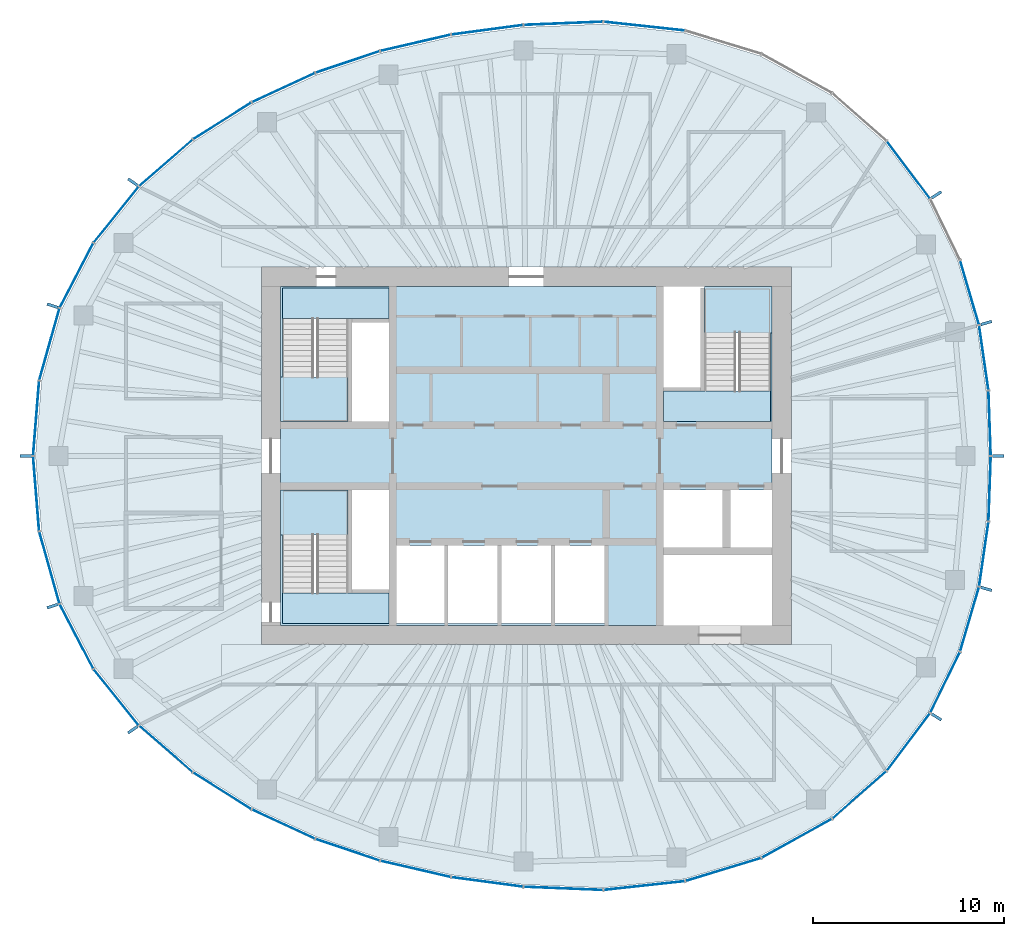
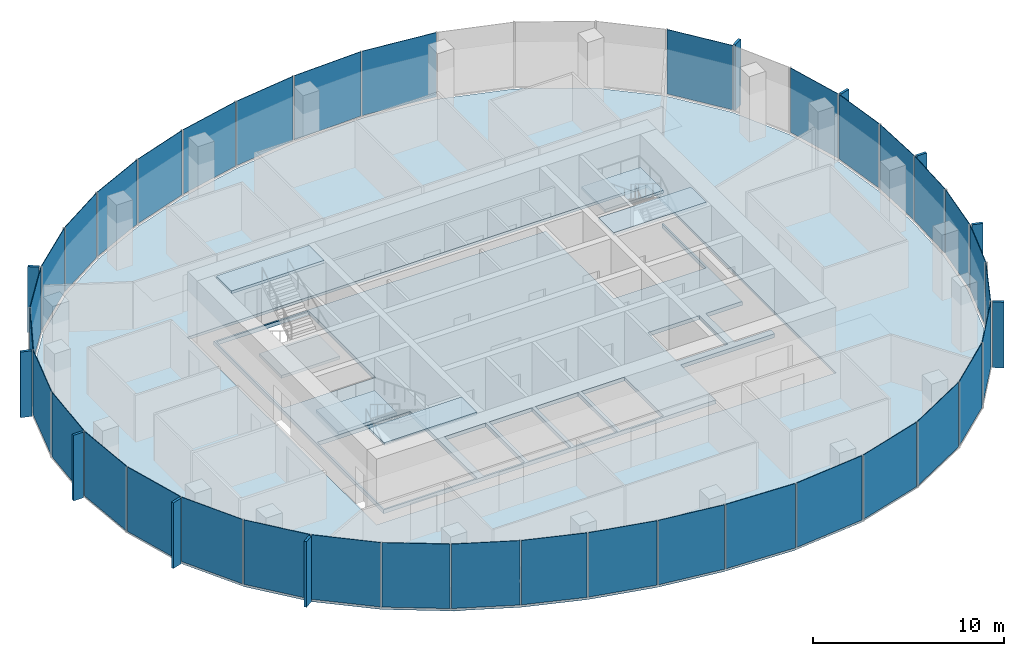
# One storey, part 7 of 11: 46 plates, 8 slabs, 22 elements without a shape of their own.
"""IFC4 building model written with IfcOpenShell, lengths in metres."""

import ifcopenshell
import ifcopenshell.guid

model = None  # the IFC model being written
_history = None  # IfcOwnerHistory: only IFC2X3 demands one
_inside = {}  # id of a spatial element -> (the spatial element, [elements in it])
_under = {}  # id of a project, library or spatial element -> (it, [spatial elements below it])
_declared = {}  # id of a project -> (the project, [libraries it declares])
_typed = {}  # id of a type object -> (the type object, [elements of that type])
_made_of = {}  # id of a material, layer set ... -> (it, [elements and type objects made of it])


def new_model(schema):
    """Start an empty IFC model of exactly this schema.

    Asked for "IFC4X3", IfcOpenShell would pick the latest addendum, in which some entities
    have other attributes; the version numbers below select the first issue.
    IFC2X3 requires an IfcOwnerHistory on every rooted entity: one is made here for all.
    """
    global model, _history
    if schema == "IFC4X3":
        model = ifcopenshell.file(schema_version=(4, 3, 0, 0))
    else:
        model = ifcopenshell.file(schema=schema)
    _inside.clear()
    _under.clear()
    _declared.clear()
    _typed.clear()
    _made_of.clear()
    _history = None
    if model.schema == "IFC2X3":
        org = make("IfcOrganization", Name="unknown")
        user = make(
            "IfcPersonAndOrganization",
            ThePerson=make("IfcPerson", FamilyName="unknown"),
            TheOrganization=org,
        )
        app = make(
            "IfcApplication",
            ApplicationDeveloper=org,
            Version="unknown",
            ApplicationFullName="unknown",
            ApplicationIdentifier="unknown",
        )
        _history = make(
            "IfcOwnerHistory",
            OwningUser=user,
            OwningApplication=app,
            ChangeAction="ADDED",
            CreationDate=0,
        )
    return model


def make(cls, **values):
    """One entity of the class cls with the attributes given. An attribute that is None is left unset."""
    return model.create_entity(
        cls, **{name: value for name, value in values.items() if value is not None}
    )


def rooted(cls, **values):
    """An entity with a GlobalId (a new one), such as an element, a storey or a relation."""
    return make(cls, GlobalId=ifcopenshell.guid.new(), OwnerHistory=_history, **values)


def si_unit(unit_type, name, prefix=None):
    """IfcSIUnit, for example si_unit("LENGTHUNIT", "METRE", prefix="MILLI")."""
    return make("IfcSIUnit", UnitType=unit_type, Prefix=prefix, Name=name)


def assignment(units):
    """IfcUnitAssignment: the units of a project."""
    return None if units is None else make("IfcUnitAssignment", Units=units)


def point(xyz):
    """IfcCartesianPoint."""
    return None if xyz is None else make("IfcCartesianPoint", Coordinates=xyz)


def direction(xyz):
    """IfcDirection."""
    return None if xyz is None else make("IfcDirection", DirectionRatios=xyz)


def frame(location, z_axis=None, x_axis=None):
    """IfcAxis2Placement3D, a coordinate frame: its origin and axes. An axis left out is left unset."""
    return make(
        "IfcAxis2Placement3D",
        Location=point(location),
        Axis=direction(z_axis),
        RefDirection=direction(x_axis),
    )


def frame_2d(location, x_axis=None):
    """IfcAxis2Placement2D, a coordinate frame in the plane: its origin and x axis."""
    return make(
        "IfcAxis2Placement2D", Location=point(location), RefDirection=direction(x_axis)
    )


def origin():
    """The frame at (0, 0, 0) with its axes left unset."""
    return frame((0.0, 0.0, 0.0))


def origin_2d():
    """The frame at (0, 0) in the plane with its x axis left unset."""
    return frame_2d((0.0, 0.0))


def place(relative_to, where):
    """IfcLocalPlacement: puts the frame where relative to a parent placement (None: the world)."""
    return make(
        "IfcLocalPlacement", PlacementRelTo=relative_to, RelativePlacement=where
    )


def context(
    kind, dimensions, precision=None, world=None, true_north=None, identifier=None
):
    """IfcGeometricRepresentationContext, for example the 3D "Model" context."""
    return make(
        "IfcGeometricRepresentationContext",
        ContextIdentifier=identifier,
        ContextType=kind,
        CoordinateSpaceDimension=dimensions,
        Precision=precision,
        WorldCoordinateSystem=world,
        TrueNorth=true_north,
    )


def subcontext(parent, identifier, kind, view, scale=None):
    """IfcGeometricRepresentationSubContext, for example "Body" below "Model"."""
    return make(
        "IfcGeometricRepresentationSubContext",
        ContextIdentifier=identifier,
        ContextType=kind,
        ParentContext=parent,
        TargetScale=scale,
        TargetView=view,
    )


def project(units=None, contexts=None):
    """IfcProject with its units and contexts."""
    return rooted(
        "IfcProject",
        Name="project",
        RepresentationContexts=contexts,
        UnitsInContext=assignment(units),
    )


def spatial(cls, under=None, at=None, **own):
    """A site, building, storey or space (cls), placed at a placement, below another one or the project."""
    s = rooted(cls, ObjectPlacement=at, **own)
    if under is not None:
        _under.setdefault(under.id(), (under, []))[1].append(s)
    return s


def polyline(points):
    """IfcPolyline through the points."""
    return make("IfcPolyline", Points=[point(p) for p in points])


def profile(cls, at=None, kind="AREA", **sizes):
    """A parametric profile (cls). Its sizes go by their IFC names, for example OverallWidth=200.0."""
    return make(cls, ProfileType=kind, Position=at, **sizes)


def rectangle(**sizes):
    """IfcRectangleProfileDef."""
    return profile("IfcRectangleProfileDef", **sizes)


def outline(outer, holes=None, kind="AREA"):
    """IfcArbitraryClosedProfileDef: a profile drawn as a closed curve; with holes, ...WithVoids."""
    if holes is None:
        return make("IfcArbitraryClosedProfileDef", ProfileType=kind, OuterCurve=outer)
    return make(
        "IfcArbitraryProfileDefWithVoids",
        ProfileType=kind,
        OuterCurve=outer,
        InnerCurves=holes,
    )


def extrude(swept, where, along, depth):
    """IfcExtrudedAreaSolid: the profile swept, set in the frame where, extruded along a direction by depth."""
    return make(
        "IfcExtrudedAreaSolid",
        SweptArea=swept,
        Position=where,
        ExtrudedDirection=direction(along),
        Depth=depth,
    )


def shape(context_of_items, identifier, shape_type, items):
    """IfcShapeRepresentation: the items that make up one representation, for example the "Body"."""
    return make(
        "IfcShapeRepresentation",
        ContextOfItems=context_of_items,
        RepresentationIdentifier=identifier,
        RepresentationType=shape_type,
        Items=items,
    )


def material(Name=None, Category=None):
    """IfcMaterial."""
    return make("IfcMaterial", Name=Name, Category=Category)


def layer(
    of_material, thickness, ventilated=None, Name=None, Category=None, Priority=None
):
    """IfcMaterialLayer: one layer of a wall or slab, of a material (None: an air gap)."""
    return make(
        "IfcMaterialLayer",
        Material=of_material,
        LayerThickness=thickness,
        IsVentilated=ventilated,
        Name=Name,
        Category=Category,
        Priority=Priority,
    )


def layer_set(layers, Name=None):
    """IfcMaterialLayerSet."""
    return make("IfcMaterialLayerSet", MaterialLayers=layers, LayerSetName=Name)


def made_of(thing, what):
    """Note that an element or type object is made of a material, layer set ...; save() writes the relation."""
    if what is not None:
        _made_of.setdefault(what.id(), (what, []))[1].append(thing)
    return thing


def type_object(cls, material=None, **own):
    """A type object (cls), such as IfcWallType, which elements share."""
    return made_of(rooted(cls, **own), material)


def element(
    cls,
    number,
    at=None,
    inside=None,
    cuts=None,
    type_object=None,
    material=None,
    context=None,
    identifier="Body",
    shape_type=None,
    held_by="IfcProductDefinitionShape",
    body=None,
    shapes=None,
    **own,
):
    """One element of the class cls, such as IfcWall. Its Tag is "e" and its number.

    at: its placement. inside: the storey or other place that contains it. cuts: it is an
    opening in that element (IfcRelVoidsElement). A single representation is given by context,
    identifier, shape_type and body (its items); several are given by shapes. held_by: the class
    of the entity that holds the representations. save() writes the other relations.
    """
    e = rooted(cls, Tag="e%d" % number, ObjectPlacement=at, **own)
    if body is not None:
        shapes = [shape(context, identifier, shape_type, body)]
    if shapes is not None:
        e.Representation = make(held_by, Representations=shapes)
    if inside is not None:
        _inside.setdefault(inside.id(), (inside, []))[1].append(e)
    if cuts is not None:
        rooted(
            "IfcRelVoidsElement", RelatingBuildingElement=cuts, RelatedOpeningElement=e
        )
    if type_object is not None:
        _typed.setdefault(type_object.id(), (type_object, []))[1].append(e)
    return made_of(e, material)


def aggregate(whole, parts):
    """IfcRelAggregates: a whole, such as a stair, and the parts it consists of."""
    return rooted("IfcRelAggregates", RelatingObject=whole, RelatedObjects=parts)


def save(model, path):
    """Write the relations noted so far, then the file.

    IfcRelAggregates (storeys below a building ...), IfcRelContainedInSpatialStructure (elements
    in a storey), IfcRelDefinesByType, IfcRelAssociatesMaterial and IfcRelDeclares: one each for
    every whole, place, type object, material and project.
    """
    for whole, parts in _under.values():
        aggregate(whole, parts)
    for where, things in _inside.values():
        rooted(
            "IfcRelContainedInSpatialStructure",
            RelatedElements=things,
            RelatingStructure=where,
        )
    for kind, things in _typed.values():
        rooted("IfcRelDefinesByType", RelatedObjects=things, RelatingType=kind)
    for what, things in _made_of.values():
        rooted("IfcRelAssociatesMaterial", RelatedObjects=things, RelatingMaterial=what)
    for by, libraries in _declared.values():
        rooted("IfcRelDeclares", RelatingContext=by, RelatedDefinitions=libraries)
    model.write(path)


model = new_model("IFC4")

# Units and contexts
model_context = context("Model", 3, precision=1e-05, world=origin(), true_north=direction((0.0, 1.0)))
body_context = subcontext(model_context, "Body", "Model", "MODEL_VIEW")
ifc_project = project(units=[si_unit("LENGTHUNIT", "METRE"), si_unit("AREAUNIT", "SQUARE_METRE"), si_unit("VOLUMEUNIT", "CUBIC_METRE"), si_unit("PLANEANGLEUNIT", "RADIAN"), si_unit("MASSUNIT", "GRAM", prefix="KILO")], contexts=[model_context])

# Site, building, storey
site_placement = place(None, origin())
site = spatial("IfcSite", under=ifc_project, at=site_placement, CompositionType="ELEMENT")
building_placement = place(site_placement, origin())
building = spatial("IfcBuilding", under=site, at=building_placement, Name="Ghaith Harvest Tower", CompositionType="ELEMENT")
storey_placement = place(building_placement, frame((0.0, 0.0, 309.0)))
storey = spatial("IfcBuildingStorey", under=building, at=storey_placement, Name="L69", CompositionType="ELEMENT", Elevation=309.0)

# Curtain wall, plates
ifc_material_1 = material(Name="Black anodised aluminium and fritted glass", Category="aluminium")
curtain_wall_type = type_object("IfcCurtainWallType", Name="CW-T CURTAIN WALL", PredefinedType="NOTDEFINED", material=ifc_material_1)
curtain_wall_1_placement = place(storey_placement, origin())
curtain_wall_1 = element("IfcCurtainWall", 1, at=curtain_wall_1_placement, inside=storey, type_object=curtain_wall_type, Name="Curtain wall CW-T bay 01 L69", PredefinedType="NOTDEFINED")
ifc_material_2 = material(Name="Glass, dark solar-control fritted double glazed unit", Category="glass")
ifc_layer_1 = layer(ifc_material_2, 0.033935546875)
ifc_layer_set_1 = layer_set([ifc_layer_1], Name="CW-T VISION PANEL")
plate_type_1 = type_object("IfcPlateType", Name="CW-T VISION PANEL", PredefinedType="CURTAIN_PANEL", material=ifc_layer_set_1)
plate_1_placement = place(storey_placement, frame((24.308837890625, 1.716796875, 0.079833984375), z_axis=(0.0, 0.0, 1.0), x_axis=(-0.035536161859, 0.999368391135, 0.0)))
plate_1 = element("IfcPlate", 2, at=plate_1_placement, type_object=plate_type_1, Name="CW-T glass unit 1 bay 01 L69", PredefinedType="CURTAIN_PANEL", context=body_context, shape_type="SweptSolid", body=[
    extrude(rectangle(XDim=3.35595703125, YDim=0.033935546875, at=origin_2d()), origin(), (0.0, 0.0, 1.0), 4.1201171875),
])
plate_2_placement = place(storey_placement, frame((24.00048828125, 5.1494140625, 0.079833984375), z_axis=(0.0, 0.0, 1.0), x_axis=(-0.142729771229, 0.989761694755, 0.0)))
plate_2 = element("IfcPlate", 3, at=plate_2_placement, type_object=plate_type_1, Name="CW-T glass unit 2 bay 01 L69", PredefinedType="CURTAIN_PANEL", context=body_context, shape_type="SweptSolid", body=[
    extrude(rectangle(XDim=3.38671875, YDim=0.033935546875, at=origin_2d()), origin(), (0.0, 0.0, 1.0), 4.1201171875),
])
aggregate(curtain_wall_1, [plate_1, plate_2])

# Curtain wall, plate
curtain_wall_2_placement = place(storey_placement, origin())
curtain_wall_2 = element("IfcCurtainWall", 4, at=curtain_wall_2_placement, inside=storey, type_object=curtain_wall_type, Name="Curtain wall CW-T bay 02 L69", PredefinedType="NOTDEFINED")
plate_3_placement = place(storey_placement, frame((23.253662109375, 8.56884765625, 0.079833984375), z_axis=(0.0, 0.0, 1.0), x_axis=(-0.281344622776, 0.959606796159, 0.0)))
plate_3 = element("IfcPlate", 5, at=plate_3_placement, type_object=plate_type_1, Name="CW-T glass unit 1 bay 02 L69", PredefinedType="CURTAIN_PANEL", context=body_context, shape_type="SweptSolid", body=[
    extrude(rectangle(XDim=3.470703125, YDim=0.033935546875, at=origin_2d()), origin(), (0.0, 0.0, 1.0), 4.1201171875),
])
aggregate(curtain_wall_2, [plate_3])

curtain_wall_3_placement = place(storey_placement, origin())
curtain_wall_3 = element("IfcCurtainWall", 6, at=curtain_wall_3_placement, inside=storey, type_object=curtain_wall_type, Name="Curtain wall CW-T bay 03 L69", PredefinedType="NOTDEFINED")
plate_4_placement = place(storey_placement, frame((20.045166015625, 15.006103515625, 0.079833984375), z_axis=(0.0, 0.0, 1.0), x_axis=(-0.601047892764, 0.799213007029, 0.0)))
plate_4 = element("IfcPlate", 7, at=plate_4_placement, type_object=plate_type_1, Name="CW-T glass unit 1 bay 03 L69", PredefinedType="CURTAIN_PANEL", context=body_context, shape_type="SweptSolid", body=[
    extrude(rectangle(XDim=3.7265625, YDim=0.033935546875, at=origin_2d()), origin(), (0.0, 0.0, 1.0), 4.1201171875),
])
aggregate(curtain_wall_3, [plate_4])

# Curtain wall, plates
curtain_wall_4_placement = place(storey_placement, origin())
curtain_wall_4 = element("IfcCurtainWall", 8, at=curtain_wall_4_placement, inside=storey, type_object=curtain_wall_type, Name="Curtain wall CW-T bay 05 L69", PredefinedType="NOTDEFINED")
plate_5_placement = place(storey_placement, frame((6.188720703125, 22.542724609375, 0.079833984375), z_axis=(0.0, 0.0, 1.0), x_axis=(-0.994142883447, 0.108073712304, 0.0)))
plate_5 = element("IfcPlate", 9, at=plate_5_placement, type_object=plate_type_1, Name="CW-T glass unit 1 bay 05 L69", PredefinedType="CURTAIN_PANEL", context=body_context, shape_type="SweptSolid", body=[
    extrude(rectangle(XDim=4.24755859375, YDim=0.033935546875, at=origin_2d()), origin(), (0.0, 0.0, 1.0), 4.1201171875),
])
plate_6_placement = place(storey_placement, frame((1.94140625, 22.691162109375, 0.079833984375), z_axis=(0.0, 0.0, 1.0), x_axis=(-0.999173925852, -0.040638231968, 0.0)))
plate_6 = element("IfcPlate", 10, at=plate_6_placement, type_object=plate_type_1, Name="CW-T glass unit 2 bay 05 L69", PredefinedType="CURTAIN_PANEL", context=body_context, shape_type="SweptSolid", body=[
    extrude(rectangle(XDim=4.115966796875, YDim=0.033935546875, at=origin_2d()), origin(), (0.0, 0.0, 1.0), 4.1201171875),
])
aggregate(curtain_wall_4, [plate_5, plate_6])

curtain_wall_5_placement = place(storey_placement, origin())
curtain_wall_5 = element("IfcCurtainWall", 11, at=curtain_wall_5_placement, inside=storey, type_object=curtain_wall_type, Name="Curtain wall CW-T bay 06 L69", PredefinedType="NOTDEFINED")
plate_7_placement = place(storey_placement, frame((-2.050537109375, 22.352294921875, 0.079833984375), z_axis=(0.0, 0.0, 1.0), x_axis=(-0.991165262661, -0.132632658474, 0.0)))
plate_7 = element("IfcPlate", 12, at=plate_7_placement, type_object=plate_type_1, Name="CW-T glass unit 1 bay 06 L69", PredefinedType="CURTAIN_PANEL", context=body_context, shape_type="SweptSolid", body=[
    extrude(rectangle(XDim=3.74560546875, YDim=0.033935546875, at=origin_2d()), origin(), (0.0, 0.0, 1.0), 4.1201171875),
])
plate_8_placement = place(storey_placement, frame((-5.80859375, 21.66845703125, 0.079833984375), z_axis=(0.0, 0.0, 1.0), x_axis=(-0.974342245415, -0.225071519297, 0.0)))
plate_8 = element("IfcPlate", 13, at=plate_8_placement, type_object=plate_type_1, Name="CW-T glass unit 2 bay 06 L69", PredefinedType="CURTAIN_PANEL", context=body_context, shape_type="SweptSolid", body=[
    extrude(rectangle(XDim=3.742431640625, YDim=0.033935546875, at=origin_2d()), origin(), (0.0, 0.0, 1.0), 4.1201171875),
])
aggregate(curtain_wall_5, [plate_7, plate_8])

curtain_wall_6_placement = place(storey_placement, origin())
curtain_wall_6 = element("IfcCurtainWall", 14, at=curtain_wall_6_placement, inside=storey, type_object=curtain_wall_type, Name="Curtain wall CW-T bay 07 L69", PredefinedType="NOTDEFINED")
plate_9_placement = place(storey_placement, frame((-9.369140625, 20.665771484375, 0.079833984375), z_axis=(0.0, 0.0, 1.0), x_axis=(-0.947586403329, -0.319499621637, 0.0)))
plate_9 = element("IfcPlate", 15, at=plate_9_placement, type_object=plate_type_1, Name="CW-T glass unit 1 bay 07 L69", PredefinedType="CURTAIN_PANEL", context=body_context, shape_type="SweptSolid", body=[
    extrude(rectangle(XDim=3.50439453125, YDim=0.033935546875, at=origin_2d()), origin(), (0.0, 0.0, 1.0), 4.1201171875),
])
plate_10_placement = place(storey_placement, frame((-12.736083984375, 19.3203125, 0.079833984375), z_axis=(0.0, 0.0, 1.0), x_axis=(-0.907450165401, -0.420159728334, 0.0)))
plate_10 = element("IfcPlate", 16, at=plate_10_placement, type_object=plate_type_1, Name="CW-T glass unit 2 bay 07 L69", PredefinedType="CURTAIN_PANEL", context=body_context, shape_type="SweptSolid", body=[
    extrude(rectangle(XDim=3.597900390625, YDim=0.033935546875, at=origin_2d()), origin(), (0.0, 0.0, 1.0), 4.1201171875),
])
aggregate(curtain_wall_6, [plate_9, plate_10])

curtain_wall_7_placement = place(storey_placement, origin())
curtain_wall_7 = element("IfcCurtainWall", 17, at=curtain_wall_7_placement, inside=storey, type_object=curtain_wall_type, Name="Curtain wall CW-T bay 08 L69", PredefinedType="NOTDEFINED")
plate_11_placement = place(storey_placement, frame((-15.94970703125, 17.57421875, 0.079833984375), z_axis=(0.0, 0.0, 1.0), x_axis=(-0.846043473903, -0.533113909279, 0.0)))
plate_11 = element("IfcPlate", 18, at=plate_11_placement, type_object=plate_type_1, Name="CW-T glass unit 1 bay 08 L69", PredefinedType="CURTAIN_PANEL", context=body_context, shape_type="SweptSolid", body=[
    extrude(rectangle(XDim=3.572021484375, YDim=0.033935546875, at=origin_2d()), origin(), (0.0, 0.0, 1.0), 4.1201171875),
])
plate_12_placement = place(storey_placement, frame((-18.909423828125, 15.371337890625, 0.079833984375), z_axis=(0.0, 0.0, 1.0), x_axis=(-0.754828549513, -0.655922145411, 0.0)))
plate_12 = element("IfcPlate", 19, at=plate_12_placement, type_object=plate_type_1, Name="CW-T glass unit 2 bay 08 L69", PredefinedType="CURTAIN_PANEL", context=body_context, shape_type="SweptSolid", body=[
    extrude(rectangle(XDim=3.668701171875, YDim=0.033935546875, at=origin_2d()), origin(), (0.0, 0.0, 1.0), 4.1201171875),
])
aggregate(curtain_wall_7, [plate_11, plate_12])

curtain_wall_8_placement = place(storey_placement, origin())
curtain_wall_8 = element("IfcCurtainWall", 20, at=curtain_wall_8_placement, inside=storey, type_object=curtain_wall_type, Name="Curtain wall CW-T bay 09 L69", PredefinedType="NOTDEFINED")
plate_13_placement = place(storey_placement, frame((-21.515380859375, 12.6591796875, 0.079833984375), z_axis=(0.0, 0.0, 1.0), x_axis=(-0.626229505742, -0.779638766441, 0.0)))
plate_13 = element("IfcPlate", 21, at=plate_13_placement, type_object=plate_type_1, Name="CW-T glass unit 1 bay 09 L69", PredefinedType="CURTAIN_PANEL", context=body_context, shape_type="SweptSolid", body=[
    extrude(rectangle(XDim=3.723388671875, YDim=0.033935546875, at=origin_2d()), origin(), (0.0, 0.0, 1.0), 4.1201171875),
])
plate_14_placement = place(storey_placement, frame((-23.594482421875, 9.4677734375, 0.079833984375), z_axis=(0.0, 0.0, 1.0), x_axis=(-0.461229945578, -0.887280641794, 0.0)))
plate_14 = element("IfcPlate", 22, at=plate_14_placement, type_object=plate_type_1, Name="CW-T glass unit 2 bay 09 L69", PredefinedType="CURTAIN_PANEL", context=body_context, shape_type="SweptSolid", body=[
    extrude(rectangle(XDim=3.771728515625, YDim=0.033935546875, at=origin_2d()), origin(), (0.0, 0.0, 1.0), 4.1201171875),
])
aggregate(curtain_wall_8, [plate_13, plate_14])

curtain_wall_9_placement = place(storey_placement, origin())
curtain_wall_9 = element("IfcCurtainWall", 23, at=curtain_wall_9_placement, inside=storey, type_object=curtain_wall_type, Name="Curtain wall CW-T bay 10 L69", PredefinedType="NOTDEFINED")
plate_15_placement = place(storey_placement, frame((-25.017333984375, 5.85546875, 0.079833984375), z_axis=(0.0, 0.0, 1.0), x_axis=(-0.270355239749, -0.962760637095, 0.0)))
plate_15 = element("IfcPlate", 24, at=plate_15_placement, type_object=plate_type_1, Name="CW-T glass unit 1 bay 10 L69", PredefinedType="CURTAIN_PANEL", context=body_context, shape_type="SweptSolid", body=[
    extrude(rectangle(XDim=3.874267578125, YDim=0.033935546875, at=origin_2d()), origin(), (0.0, 0.0, 1.0), 4.1201171875),
])
plate_16_placement = place(storey_placement, frame((-25.7109375, 1.97607421875, 0.079833984375), z_axis=(0.0, 0.0, 1.0), x_axis=(-0.080257648011, -0.99677415192, 0.0)))
plate_16 = element("IfcPlate", 25, at=plate_16_placement, type_object=plate_type_1, Name="CW-T glass unit 2 bay 10 L69", PredefinedType="CURTAIN_PANEL", context=body_context, shape_type="SweptSolid", body=[
    extrude(rectangle(XDim=3.884765625, YDim=0.033935546875, at=origin_2d()), origin(), (0.0, 0.0, 1.0), 4.1201171875),
])
aggregate(curtain_wall_9, [plate_15, plate_16])

curtain_wall_10_placement = place(storey_placement, origin())
curtain_wall_10 = element("IfcCurtainWall", 26, at=curtain_wall_10_placement, inside=storey, type_object=curtain_wall_type, Name="Curtain wall CW-T bay 11 L69", PredefinedType="NOTDEFINED")
plate_17_placement = place(storey_placement, frame((-25.7109375, -1.97607421875, 0.079833984375), z_axis=(0.0, 0.0, 1.0), x_axis=(0.080257648324, -0.996774151895, 0.0)))
plate_17 = element("IfcPlate", 27, at=plate_17_placement, type_object=plate_type_1, Name="CW-T glass unit 1 bay 11 L69", PredefinedType="CURTAIN_PANEL", context=body_context, shape_type="SweptSolid", body=[
    extrude(rectangle(XDim=3.884765625, YDim=0.033935546875, at=origin_2d()), origin(), (0.0, 0.0, 1.0), 4.1201171875),
])
plate_18_placement = place(storey_placement, frame((-25.017333984375, -5.85546875, 0.079833984375), z_axis=(0.0, 0.0, 1.0), x_axis=(0.27035523953, -0.962760637157, 0.0)))
plate_18 = element("IfcPlate", 28, at=plate_18_placement, type_object=plate_type_1, Name="CW-T glass unit 2 bay 11 L69", PredefinedType="CURTAIN_PANEL", context=body_context, shape_type="SweptSolid", body=[
    extrude(rectangle(XDim=3.874267578125, YDim=0.033935546875, at=origin_2d()), origin(), (0.0, 0.0, 1.0), 4.1201171875),
])
aggregate(curtain_wall_10, [plate_17, plate_18])

curtain_wall_11_placement = place(storey_placement, origin())
curtain_wall_11 = element("IfcCurtainWall", 29, at=curtain_wall_11_placement, inside=storey, type_object=curtain_wall_type, Name="Curtain wall CW-T bay 12 L69", PredefinedType="NOTDEFINED")
plate_19_placement = place(storey_placement, frame((-23.594482421875, -9.4677734375, 0.079833984375), z_axis=(0.0, 0.0, 1.0), x_axis=(0.461229945377, -0.887280641898, 0.0)))
plate_19 = element("IfcPlate", 30, at=plate_19_placement, type_object=plate_type_1, Name="CW-T glass unit 1 bay 12 L69", PredefinedType="CURTAIN_PANEL", context=body_context, shape_type="SweptSolid", body=[
    extrude(rectangle(XDim=3.771728515625, YDim=0.033935546875, at=origin_2d()), origin(), (0.0, 0.0, 1.0), 4.1201171875),
])
plate_20_placement = place(storey_placement, frame((-21.515380859375, -12.6591796875, 0.079833984375), z_axis=(0.0, 0.0, 1.0), x_axis=(0.626229505565, -0.779638766583, 0.0)))
plate_20 = element("IfcPlate", 31, at=plate_20_placement, type_object=plate_type_1, Name="CW-T glass unit 2 bay 12 L69", PredefinedType="CURTAIN_PANEL", context=body_context, shape_type="SweptSolid", body=[
    extrude(rectangle(XDim=3.723388671875, YDim=0.033935546875, at=origin_2d()), origin(), (0.0, 0.0, 1.0), 4.1201171875),
])
aggregate(curtain_wall_11, [plate_19, plate_20])

curtain_wall_12_placement = place(storey_placement, origin())
curtain_wall_12 = element("IfcCurtainWall", 32, at=curtain_wall_12_placement, inside=storey, type_object=curtain_wall_type, Name="Curtain wall CW-T bay 13 L69", PredefinedType="NOTDEFINED")
plate_21_placement = place(storey_placement, frame((-18.909423828125, -15.371337890625, 0.079833984375), z_axis=(0.0, 0.0, 1.0), x_axis=(0.754828549376, -0.655922145569, 0.0)))
plate_21 = element("IfcPlate", 33, at=plate_21_placement, type_object=plate_type_1, Name="CW-T glass unit 1 bay 13 L69", PredefinedType="CURTAIN_PANEL", context=body_context, shape_type="SweptSolid", body=[
    extrude(rectangle(XDim=3.668701171875, YDim=0.033935546875, at=origin_2d()), origin(), (0.0, 0.0, 1.0), 4.1201171875),
])
plate_22_placement = place(storey_placement, frame((-15.94970703125, -17.57421875, 0.079833984375), z_axis=(0.0, 0.0, 1.0), x_axis=(0.846043474052, -0.533113909042, 0.0)))
plate_22 = element("IfcPlate", 34, at=plate_22_placement, type_object=plate_type_1, Name="CW-T glass unit 2 bay 13 L69", PredefinedType="CURTAIN_PANEL", context=body_context, shape_type="SweptSolid", body=[
    extrude(rectangle(XDim=3.572021484375, YDim=0.033935546875, at=origin_2d()), origin(), (0.0, 0.0, 1.0), 4.1201171875),
])
aggregate(curtain_wall_12, [plate_21, plate_22])

curtain_wall_13_placement = place(storey_placement, origin())
curtain_wall_13 = element("IfcCurtainWall", 35, at=curtain_wall_13_placement, inside=storey, type_object=curtain_wall_type, Name="Curtain wall CW-T bay 14 L69", PredefinedType="NOTDEFINED")
plate_23_placement = place(storey_placement, frame((-12.736083984375, -19.3203125, 0.079833984375), z_axis=(0.0, 0.0, 1.0), x_axis=(0.907450165812, -0.420159727447, 0.0)))
plate_23 = element("IfcPlate", 36, at=plate_23_placement, type_object=plate_type_1, Name="CW-T glass unit 1 bay 14 L69", PredefinedType="CURTAIN_PANEL", context=body_context, shape_type="SweptSolid", body=[
    extrude(rectangle(XDim=3.597900390625, YDim=0.033935546875, at=origin_2d()), origin(), (0.0, 0.0, 1.0), 4.1201171875),
])
plate_24_placement = place(storey_placement, frame((-9.369140625, -20.665771484375, 0.079833984375), z_axis=(0.0, 0.0, 1.0), x_axis=(0.947586403597, -0.319499620843, 0.0)))
plate_24 = element("IfcPlate", 37, at=plate_24_placement, type_object=plate_type_1, Name="CW-T glass unit 2 bay 14 L69", PredefinedType="CURTAIN_PANEL", context=body_context, shape_type="SweptSolid", body=[
    extrude(rectangle(XDim=3.50439453125, YDim=0.033935546875, at=origin_2d()), origin(), (0.0, 0.0, 1.0), 4.1201171875),
])
aggregate(curtain_wall_13, [plate_23, plate_24])

curtain_wall_14_placement = place(storey_placement, origin())
curtain_wall_14 = element("IfcCurtainWall", 38, at=curtain_wall_14_placement, inside=storey, type_object=curtain_wall_type, Name="Curtain wall CW-T bay 15 L69", PredefinedType="NOTDEFINED")
plate_25_placement = place(storey_placement, frame((-5.80859375, -21.66845703125, 0.079833984375), z_axis=(0.0, 0.0, 1.0), x_axis=(0.974342245521, -0.225071518838, 0.0)))
plate_25 = element("IfcPlate", 39, at=plate_25_placement, type_object=plate_type_1, Name="CW-T glass unit 1 bay 15 L69", PredefinedType="CURTAIN_PANEL", context=body_context, shape_type="SweptSolid", body=[
    extrude(rectangle(XDim=3.742431640625, YDim=0.033935546875, at=origin_2d()), origin(), (0.0, 0.0, 1.0), 4.1201171875),
])
plate_26_placement = place(storey_placement, frame((-2.050537109375, -22.352294921875, 0.079833984375), z_axis=(0.0, 0.0, 1.0), x_axis=(0.991165262684, -0.132632658301, 0.0)))
plate_26 = element("IfcPlate", 40, at=plate_26_placement, type_object=plate_type_1, Name="CW-T glass unit 2 bay 15 L69", PredefinedType="CURTAIN_PANEL", context=body_context, shape_type="SweptSolid", body=[
    extrude(rectangle(XDim=3.74560546875, YDim=0.033935546875, at=origin_2d()), origin(), (0.0, 0.0, 1.0), 4.1201171875),
])
aggregate(curtain_wall_14, [plate_25, plate_26])

curtain_wall_15_placement = place(storey_placement, origin())
curtain_wall_15 = element("IfcCurtainWall", 41, at=curtain_wall_15_placement, inside=storey, type_object=curtain_wall_type, Name="Curtain wall CW-T bay 16 L69", PredefinedType="NOTDEFINED")
plate_27_placement = place(storey_placement, frame((1.94140625, -22.691162109375, 0.079833984375), z_axis=(0.0, 0.0, 1.0), x_axis=(0.999173925863, -0.040638231706, 0.0)))
plate_27 = element("IfcPlate", 42, at=plate_27_placement, type_object=plate_type_1, Name="CW-T glass unit 1 bay 16 L69", PredefinedType="CURTAIN_PANEL", context=body_context, shape_type="SweptSolid", body=[
    extrude(rectangle(XDim=4.115966796875, YDim=0.033935546875, at=origin_2d()), origin(), (0.0, 0.0, 1.0), 4.1201171875),
])
plate_28_placement = place(storey_placement, frame((6.188720703125, -22.542724609375, 0.079833984375), z_axis=(0.0, 0.0, 1.0), x_axis=(0.994142883417, 0.108073712581, 0.0)))
plate_28 = element("IfcPlate", 43, at=plate_28_placement, type_object=plate_type_1, Name="CW-T glass unit 2 bay 16 L69", PredefinedType="CURTAIN_PANEL", context=body_context, shape_type="SweptSolid", body=[
    extrude(rectangle(XDim=4.24755859375, YDim=0.033935546875, at=origin_2d()), origin(), (0.0, 0.0, 1.0), 4.1201171875),
])
aggregate(curtain_wall_15, [plate_27, plate_28])

curtain_wall_16_placement = place(storey_placement, origin())
curtain_wall_16 = element("IfcCurtainWall", 44, at=curtain_wall_16_placement, inside=storey, type_object=curtain_wall_type, Name="Curtain wall CW-T bay 17 L69", PredefinedType="NOTDEFINED")
plate_29_placement = place(storey_placement, frame((10.337158203125, -21.700439453125, 0.079833984375), z_axis=(0.0, 0.0, 1.0), x_axis=(0.956587736012, 0.291444511548, 0.0)))
plate_29 = element("IfcPlate", 45, at=plate_29_placement, type_object=plate_type_1, Name="CW-T glass unit 1 bay 17 L69", PredefinedType="CURTAIN_PANEL", context=body_context, shape_type="SweptSolid", body=[
    extrude(rectangle(XDim=4.095703125, YDim=0.033935546875, at=origin_2d()), origin(), (0.0, 0.0, 1.0), 4.1201171875),
])
plate_30_placement = place(storey_placement, frame((14.19189453125, -20.06201171875, 0.079833984375), z_axis=(0.0, 0.0, 1.0), x_axis=(0.874564022715, 0.484910064004, 0.0)))
plate_30 = element("IfcPlate", 46, at=plate_30_placement, type_object=plate_type_1, Name="CW-T glass unit 2 bay 17 L69", PredefinedType="CURTAIN_PANEL", context=body_context, shape_type="SweptSolid", body=[
    extrude(rectangle(XDim=4.167724609375, YDim=0.033935546875, at=origin_2d()), origin(), (0.0, 0.0, 1.0), 4.1201171875),
])
aggregate(curtain_wall_16, [plate_29, plate_30])

curtain_wall_17_placement = place(storey_placement, origin())
curtain_wall_17 = element("IfcCurtainWall", 47, at=curtain_wall_17_placement, inside=storey, type_object=curtain_wall_type, Name="Curtain wall CW-T bay 18 L69", PredefinedType="NOTDEFINED")
plate_31_placement = place(storey_placement, frame((17.47509765625, -17.779541015625, 0.079833984375), z_axis=(0.0, 0.0, 1.0), x_axis=(0.751334532577, 0.659921525757, 0.0)))
plate_31 = element("IfcPlate", 48, at=plate_31_placement, type_object=plate_type_1, Name="CW-T glass unit 1 bay 18 L69", PredefinedType="CURTAIN_PANEL", context=body_context, shape_type="SweptSolid", body=[
    extrude(rectangle(XDim=3.7158203125, YDim=0.033935546875, at=origin_2d()), origin(), (0.0, 0.0, 1.0), 4.1201171875),
])
plate_32_placement = place(storey_placement, frame((20.045166015625, -15.006103515625, 0.079833984375), z_axis=(0.0, 0.0, 1.0), x_axis=(0.601047892945, 0.799213006892, 0.0)))
plate_32 = element("IfcPlate", 49, at=plate_32_placement, type_object=plate_type_1, Name="CW-T glass unit 2 bay 18 L69", PredefinedType="CURTAIN_PANEL", context=body_context, shape_type="SweptSolid", body=[
    extrude(rectangle(XDim=3.7265625, YDim=0.033935546875, at=origin_2d()), origin(), (0.0, 0.0, 1.0), 4.1201171875),
])
aggregate(curtain_wall_17, [plate_31, plate_32])

curtain_wall_18_placement = place(storey_placement, origin())
curtain_wall_18 = element("IfcCurtainWall", 50, at=curtain_wall_18_placement, inside=storey, type_object=curtain_wall_type, Name="Curtain wall CW-T bay 19 L69", PredefinedType="NOTDEFINED")
plate_33_placement = place(storey_placement, frame((21.9716796875, -11.878662109375, 0.079833984375), z_axis=(0.0, 0.0, 1.0), x_axis=(0.437968365352, 0.898990384237, 0.0)))
plate_33 = element("IfcPlate", 51, at=plate_33_placement, type_object=plate_type_1, Name="CW-T glass unit 1 bay 19 L69", PredefinedType="CURTAIN_PANEL", context=body_context, shape_type="SweptSolid", body=[
    extrude(rectangle(XDim=3.49365234375, YDim=0.033935546875, at=origin_2d()), origin(), (0.0, 0.0, 1.0), 4.1201171875),
])
plate_34_placement = place(storey_placement, frame((23.253662109375, -8.56884765625, 0.079833984375), z_axis=(0.0, 0.0, 1.0), x_axis=(0.281344622977, 0.9596067961, 0.0)))
plate_34 = element("IfcPlate", 52, at=plate_34_placement, type_object=plate_type_1, Name="CW-T glass unit 2 bay 19 L69", PredefinedType="CURTAIN_PANEL", context=body_context, shape_type="SweptSolid", body=[
    extrude(rectangle(XDim=3.470703125, YDim=0.033935546875, at=origin_2d()), origin(), (0.0, 0.0, 1.0), 4.1201171875),
])
aggregate(curtain_wall_18, [plate_33, plate_34])

curtain_wall_19_placement = place(storey_placement, origin())
curtain_wall_19 = element("IfcCurtainWall", 53, at=curtain_wall_19_placement, inside=storey, type_object=curtain_wall_type, Name="Curtain wall CW-T bay 20 L69", PredefinedType="NOTDEFINED")
plate_35_placement = place(storey_placement, frame((24.00048828125, -5.1494140625, 0.079833984375), z_axis=(0.0, 0.0, 1.0), x_axis=(0.142729771402, 0.98976169473, 0.0)))
plate_35 = element("IfcPlate", 54, at=plate_35_placement, type_object=plate_type_1, Name="CW-T glass unit 1 bay 20 L69", PredefinedType="CURTAIN_PANEL", context=body_context, shape_type="SweptSolid", body=[
    extrude(rectangle(XDim=3.38671875, YDim=0.033935546875, at=origin_2d()), origin(), (0.0, 0.0, 1.0), 4.1201171875),
])
plate_36_placement = place(storey_placement, frame((24.308837890625, -1.716796875, 0.079833984375), z_axis=(0.0, 0.0, 1.0), x_axis=(0.035536161929, 0.999368391133, 0.0)))
plate_36 = element("IfcPlate", 55, at=plate_36_placement, type_object=plate_type_1, Name="CW-T glass unit 2 bay 20 L69", PredefinedType="CURTAIN_PANEL", context=body_context, shape_type="SweptSolid", body=[
    extrude(rectangle(XDim=3.35595703125, YDim=0.033935546875, at=origin_2d()), origin(), (0.0, 0.0, 1.0), 4.1201171875),
])
aggregate(curtain_wall_19, [plate_35, plate_36])

# Slabs
ifc_material_3 = material(Name="Concrete C40/50", Category="concrete")
ifc_layer_2 = layer(ifc_material_3, 0.169921875)
ifc_layer_set_2 = layer_set([ifc_layer_2], Name="FLOOR SLAB 170")
slab_type_1 = type_object("IfcSlabType", Name="FLOOR SLAB 170", PredefinedType="FLOOR", material=ifc_layer_set_2)
slab_1_placement = place(storey_placement, frame((0.0, 0.0, -0.169921875)))
element("IfcSlab", 56, at=slab_1_placement, inside=storey, type_object=slab_type_1, Name="Floor slab L69", PredefinedType="FLOOR", context=body_context, shape_type="SweptSolid", body=[
    extrude(outline(polyline([(24.25, 0.0), (24.129150390625, 3.4169921875), (23.6376953125, 6.831787109375), (22.644775390625, 10.222900390625), (21.087890625, 13.42041015625), (18.810791015625, 16.4482421875), (15.971923828125, 18.940185546875), (12.273681640625, 20.98828125), (8.2978515625, 22.1962890625), (4.016845703125, 22.658447265625), (-0.15380859375, 22.486083984375), (-3.92529296875, 21.98046875), (-7.6298828125, 21.12548828125), (-11.009521484375, 19.98779296875), (-14.331298828125, 18.452880859375), (-17.40771484375, 16.518310546875), (-20.225830078125, 14.0732421875), (-22.5986328125, 11.12353515625), (-24.368408203125, 7.722900390625), (-25.43310546875, 3.93359375), (-25.75, 0.0), (-25.43310546875, -3.93359375), (-24.368408203125, -7.722900390625), (-22.5986328125, -11.12353515625), (-20.225830078125, -14.0732421875), (-17.40771484375, -16.518310546875), (-14.331298828125, -18.452880859375), (-11.009521484375, -19.98779296875), (-7.6298828125, -21.12548828125), (-3.92529296875, -21.98046875), (-0.15380859375, -22.486083984375), (4.016845703125, -22.658447265625), (8.2978515625, -22.1962890625), (12.273681640625, -20.98828125), (15.971923828125, -18.940185546875), (18.810791015625, -16.4482421875), (21.087890625, -13.42041015625), (22.644775390625, -10.222900390625), (23.6376953125, -6.831787109375), (24.129150390625, -3.4169921875), (24.25, 0.0)]), holes=[polyline([(-13.89990234375, -9.89990234375), (13.89990234375, -9.89990234375), (13.89990234375, 9.89990234375), (-13.89990234375, 9.89990234375), (-13.89990234375, -9.89990234375)])]), origin(), (0.0, 0.0, 1.0), 0.169921875),
])
ifc_material_4 = material(Name="Concrete C40/50", Category="concrete")
ifc_layer_3 = layer(ifc_material_4, 0.25)
ifc_layer_set_3 = layer_set([ifc_layer_3], Name="FLOOR SLAB 250")
slab_type_2 = type_object("IfcSlabType", Name="FLOOR SLAB 250", PredefinedType="FLOOR", material=ifc_layer_set_3)
slab_2_placement = place(storey_placement, frame((0.0, 0.0, -0.25)))
element("IfcSlab", 57, at=slab_2_placement, inside=storey, type_object=slab_type_2, Name="Core slab L69", PredefinedType="FLOOR", context=body_context, shape_type="SweptSolid", body=[
    extrude(outline(polyline([(-12.89990234375, 8.89990234375), (7.199951171875, 8.89990234375), (7.199951171875, 1.800048828125), (12.800048828125, 1.800048828125), (12.800048828125, 6.4599609375), (12.89990234375, 6.4599609375), (12.89990234375, -1.800048828125), (10.699951171875, -1.800048828125), (10.699951171875, -4.800048828125), (12.89990234375, -4.800048828125), (12.89990234375, -5.199951171875), (7.199951171875, -5.199951171875), (7.199951171875, -8.89990234375), (-12.89990234375, -8.89990234375), (-12.89990234375, 8.89990234375)]), holes=[polyline([(-4.300048828125, -4.699951171875), (-6.800048828125, -4.699951171875), (-6.800048828125, -8.800048828125), (-4.300048828125, -8.800048828125), (-4.300048828125, -4.699951171875)]), polyline([(-1.5, -4.699951171875), (-4.10009765625, -4.699951171875), (-4.10009765625, -8.800048828125), (-1.5, -8.800048828125), (-1.5, -4.699951171875)]), polyline([(1.300048828125, -8.800048828125), (1.300048828125, -4.699951171875), (-1.300048828125, -4.699951171875), (-1.300048828125, -8.800048828125), (1.300048828125, -8.800048828125)]), polyline([(4.10009765625, -8.800048828125), (4.10009765625, -4.699951171875), (1.5, -4.699951171875), (1.5, -8.800048828125), (4.10009765625, -8.800048828125)]), polyline([(-7.199951171875, -1.800048828125), (-12.800048828125, -1.800048828125), (-12.800048828125, -8.800048828125), (-7.199951171875, -8.800048828125), (-7.199951171875, -1.800048828125)]), polyline([(10.300048828125, -1.800048828125), (7.199951171875, -1.800048828125), (7.199951171875, -4.800048828125), (10.300048828125, -4.800048828125), (10.300048828125, -1.800048828125)]), polyline([(-12.800048828125, 1.800048828125), (-7.199951171875, 1.800048828125), (-7.199951171875, 8.800048828125), (-12.800048828125, 8.800048828125), (-12.800048828125, 1.800048828125)])]), origin(), (0.0, 0.0, 1.0), 0.25),
])

# Stair, slabs
ifc_material_5 = material(Name="Concrete C40/50, precast", Category="concrete")
stair_type = type_object("IfcStairType", Name="CORE STAIR 24R", PredefinedType="HALF_TURN_STAIR", material=ifc_material_5)
stair_1_placement = place(storey_placement, origin())
stair_1 = element("IfcStair", 58, at=stair_1_placement, inside=storey, type_object=stair_type, Name="Stair ST1 L69", PredefinedType="HALF_TURN_STAIR")
ifc_material_6 = material(Name="Concrete C40/50, precast", Category="concrete")
ifc_layer_4 = layer(ifc_material_6, 0.179931640625)
ifc_layer_set_4 = layer_set([ifc_layer_4], Name="STAIR LANDING 180")
slab_type_3 = type_object("IfcSlabType", Name="STAIR LANDING 180", PredefinedType="LANDING", material=ifc_layer_set_4)
slab_3_placement = place(storey_placement, frame((0.0, 0.0, 1.919921875)))
slab_3 = element("IfcSlab", 59, at=slab_3_placement, type_object=slab_type_3, Name="ST1 landing 1", PredefinedType="LANDING", context=body_context, shape_type="SweptSolid", body=[
    extrude(outline(polyline([(-12.89990234375, 4.139892578125), (-12.89990234375, 1.800048828125), (-9.35009765625, 1.800048828125), (-9.35009765625, 4.139892578125), (-12.89990234375, 4.139892578125)])), origin(), (0.0, 0.0, 1.0), 0.18017578125),
])
slab_4_placement = place(storey_placement, frame((0.0, 0.0, 4.02001953125)))
slab_4 = element("IfcSlab", 60, at=slab_4_placement, type_object=slab_type_3, Name="ST1 landing 2", PredefinedType="LANDING", context=body_context, shape_type="SweptSolid", body=[
    extrude(outline(polyline([(-12.800048828125, 8.800048828125), (-12.800048828125, 7.199951171875), (-7.199951171875, 7.199951171875), (-7.199951171875, 8.800048828125), (-12.800048828125, 8.800048828125)])), origin(), (0.0, 0.0, 1.0), 0.179931640625),
])
aggregate(stair_1, [slab_3, slab_4])

stair_2_placement = place(storey_placement, origin())
stair_2 = element("IfcStair", 61, at=stair_2_placement, inside=storey, type_object=stair_type, Name="Stair ST3 L69", PredefinedType="HALF_TURN_STAIR")
slab_5_placement = place(storey_placement, frame((0.0, 0.0, 1.919921875)))
slab_5 = element("IfcSlab", 62, at=slab_5_placement, type_object=slab_type_3, Name="ST3 landing 1", PredefinedType="LANDING", context=body_context, shape_type="SweptSolid", body=[
    extrude(outline(polyline([(-12.89990234375, -4.139892578125), (-12.89990234375, -1.800048828125), (-9.35009765625, -1.800048828125), (-9.35009765625, -4.139892578125), (-12.89990234375, -4.139892578125)])), origin(), (0.0, 0.0, 1.0), 0.18017578125),
])
slab_6_placement = place(storey_placement, frame((0.0, 0.0, 4.02001953125)))
slab_6 = element("IfcSlab", 63, at=slab_6_placement, type_object=slab_type_3, Name="ST3 landing 2", PredefinedType="LANDING", context=body_context, shape_type="SweptSolid", body=[
    extrude(outline(polyline([(-12.800048828125, -8.800048828125), (-12.800048828125, -7.199951171875), (-7.199951171875, -7.199951171875), (-7.199951171875, -8.800048828125), (-12.800048828125, -8.800048828125)])), origin(), (0.0, 0.0, 1.0), 0.179931640625),
])
aggregate(stair_2, [slab_5, slab_6])

stair_3_placement = place(storey_placement, origin())
stair_3 = element("IfcStair", 64, at=stair_3_placement, inside=storey, type_object=stair_type, Name="Stair ST2 L69", PredefinedType="HALF_TURN_STAIR")
slab_7_placement = place(storey_placement, frame((0.0, 0.0, 1.919921875)))
slab_7 = element("IfcSlab", 65, at=slab_7_placement, type_object=slab_type_3, Name="ST2 landing 1", PredefinedType="LANDING", context=body_context, shape_type="SweptSolid", body=[
    extrude(outline(polyline([(12.89990234375, 6.4599609375), (12.89990234375, 8.89990234375), (9.35009765625, 8.89990234375), (9.35009765625, 6.4599609375), (12.89990234375, 6.4599609375)])), origin(), (0.0, 0.0, 1.0), 0.18017578125),
])
slab_8_placement = place(storey_placement, frame((0.0, 0.0, 4.02001953125)))
slab_8 = element("IfcSlab", 66, at=slab_8_placement, type_object=slab_type_3, Name="ST2 landing 2", PredefinedType="LANDING", context=body_context, shape_type="SweptSolid", body=[
    extrude(outline(polyline([(12.800048828125, 1.800048828125), (12.800048828125, 3.39990234375), (7.199951171875, 3.39990234375), (7.199951171875, 1.800048828125), (12.800048828125, 1.800048828125)])), origin(), (0.0, 0.0, 1.0), 0.179931640625),
])
aggregate(stair_3, [slab_7, slab_8])

# Plates
ifc_material_7 = material(Name="Glassfibre-reinforced concrete", Category="concrete")
ifc_layer_5 = layer(ifc_material_7, 0.14990234375)
ifc_layer_set_5 = layer_set([ifc_layer_5], Name="SUN-BREAKER FIN 600x150")
plate_type_2 = type_object("IfcPlateType", Name="SUN-BREAKER FIN 600x150", PredefinedType="USERDEFINED", material=ifc_layer_set_5)
for number, where, z_axis, x_axis, name in (
    (67, (24.760009765625, 0.0, 0.0), (0.0, 0.0, 1.0), (1.0, 0.0, 0.0), "Sun-breaker fin CW-T 1 bay 01 L69"),
    (68, (24.127685546875, 6.973388671875, 0.0), (0.0, 0.0, 1.0), (0.960680349985, 0.277656739792, 0.0), "Sun-breaker fin CW-T 1 bay 02 L69"),
    (69, (21.51806640625, 13.6943359375, 0.0), (0.0, 0.0, 1.0), (0.843643971464, 0.536903016766, 0.0), "Sun-breaker fin CW-T 1 bay 03 L69"),
    (70, (-20.64453125, 14.364501953125, 0.0), (0.0, 0.0, 1.0), (-0.820845486523, 0.571150319316, 0.0), "Sun-breaker fin CW-T 1 bay 09 L69"),
    (71, (-24.8544921875, 7.876708984375, 0.0), (0.0, 0.0, 1.0), (-0.953273219358, 0.302109531884, 0.0), "Sun-breaker fin CW-T 1 bay 10 L69"),
    (72, (-26.260009765625, 0.0, 0.0), (0.0, 0.0, 1.0), (-1.0, -4.19e-10, 0.0), "Sun-breaker fin CW-T 1 bay 11 L69"),
    (73, (-24.8544921875, -7.876708984375, 0.0), (0.0, 0.0, 1.0), (-0.953273219416, -0.302109531701, 0.0), "Sun-breaker fin CW-T 1 bay 12 L69"),
    (74, (-20.64453125, -14.364501953125, 0.0), (0.0, 0.0, 1.0), (-0.820845486622, -0.571150319173, 0.0), "Sun-breaker fin CW-T 1 bay 13 L69"),
    (75, (21.51806640625, -13.6943359375, 0.0), (0.0, 0.0, 1.0), (0.84364397137, -0.536903016913, 0.0), "Sun-breaker fin CW-T 1 bay 19 L69"),
    (76, (24.127685546875, -6.973388671875, 0.0), (0.0, 0.0, 1.0), (0.960680349932, -0.277656739976, 0.0), "Sun-breaker fin CW-T 1 bay 20 L69"),
):
    element("IfcPlate", number, at=place(storey_placement, frame(where, z_axis=z_axis, x_axis=x_axis)), inside=storey, type_object=plate_type_2, Name=name, ObjectType="SUN-BREAKER FIN", PredefinedType="USERDEFINED", context=body_context, shape_type="SweptSolid", body=[
        extrude(rectangle(XDim=0.60009765625, YDim=0.14990234375, at=origin_2d()), origin(), (0.0, 0.0, 1.0), 4.199951171875),
    ])

save(model, "model.ifc")
